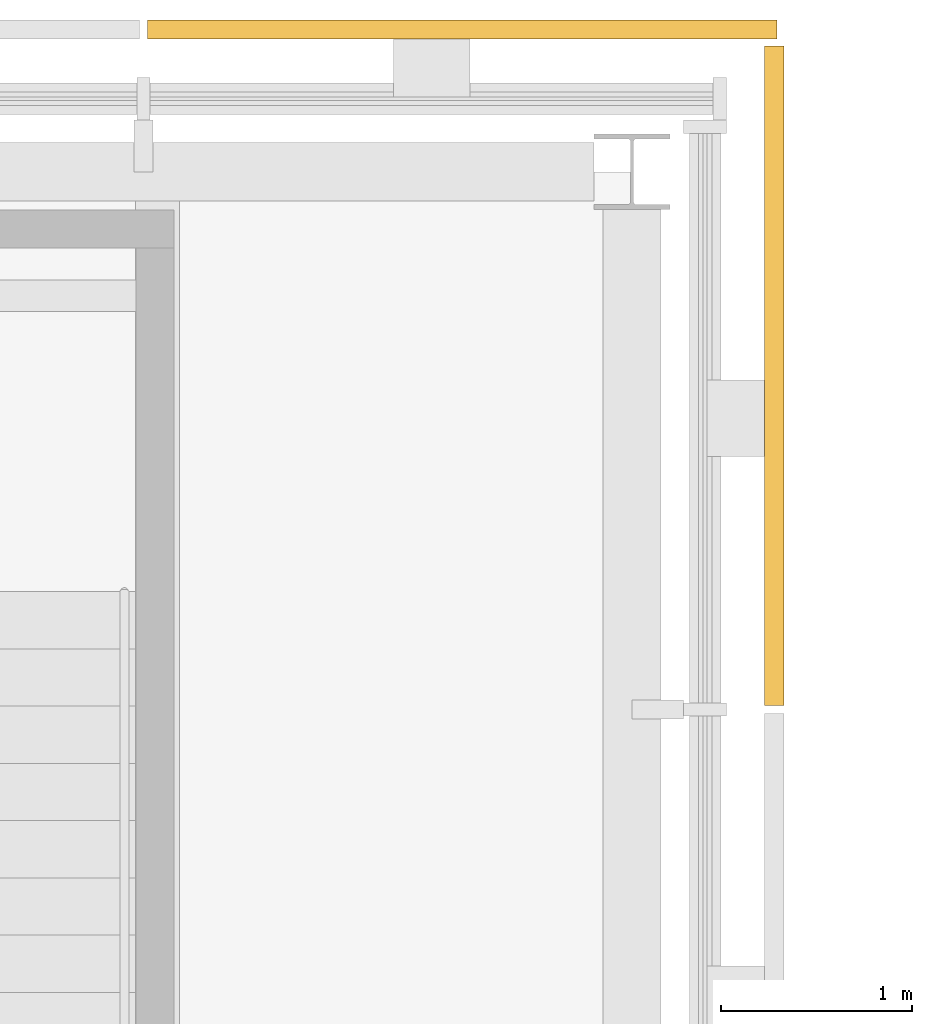
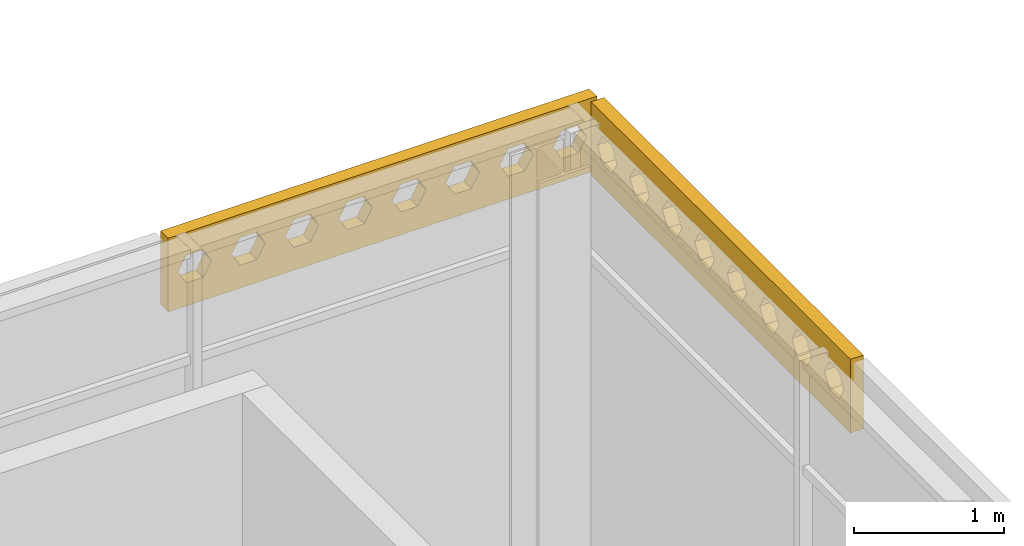
# One storey, part 113 of 123: 2 shading devices.
"""IFC4 building model written with IfcOpenShell, lengths in metres."""

from ifc_helpers import new_model, si_unit, direction, frame, origin, place, context, subcontext, project, spatial, polyline, outline, extrude, material, layer, layer_set, type_object, element, save


model = new_model("IFC4")

# Units and contexts
model_context = context("Model", 3, precision=1e-05, world=origin(), true_north=direction((0.0, 1.0)))
body_context = subcontext(model_context, "Body", "Model", "MODEL_VIEW")
ifc_project = project(units=[si_unit("LENGTHUNIT", "METRE"), si_unit("AREAUNIT", "SQUARE_METRE"), si_unit("VOLUMEUNIT", "CUBIC_METRE"), si_unit("PLANEANGLEUNIT", "RADIAN"), si_unit("MASSUNIT", "GRAM", prefix="KILO")], contexts=[model_context])

# Site, building, storey
site_placement = place(None, origin())
site = spatial("IfcSite", under=ifc_project, at=site_placement, CompositionType="ELEMENT")
building_placement = place(site_placement, origin())
building = spatial("IfcBuilding", under=site, at=building_placement, Name="Baradari Gate Terminus", CompositionType="ELEMENT")
storey_placement = place(building_placement, frame((0.0, 0.0, 7.5)))
storey = spatial("IfcBuildingStorey", under=building, at=storey_placement, Name="L01", CompositionType="ELEMENT", Elevation=7.5)

# Shading devices
ifc_material = material(Name="Concrete C50/60 precast", Category="concrete")
ifc_layer = layer(ifc_material, 0.10009765625)
ifc_layer_set = layer_set([ifc_layer], Name="Concrete C50/60 precast")
shading_device_type = type_object("IfcShadingDeviceType", Name="Jali screen panel JS-1 100", PredefinedType="SHUTTER", material=ifc_layer_set)
shading_device_1_placement = place(storey_placement, frame((60.4599609375, 144.7451171875, 3.4326171875), z_axis=(0.0, 0.0, 1.0), x_axis=(1.0, 0.0, 0.0)))
element("IfcShadingDevice", 1, at=shading_device_1_placement, inside=storey, type_object=shading_device_type, Name="Jali screen panel JS-1 L01/TN bay 18", PredefinedType="SHUTTER", context=body_context, shape_type="SweptSolid", body=[
    extrude(outline(polyline([(0.0, 0.0), (3.300048828125, 0.0), (3.300048828125, 0.599853515625), (0.0, 0.599853515625), (0.0, 0.0)]), holes=[polyline([(0.336181640625, 0.2998046875), (0.271240234375, 0.187255859375), (0.141357421875, 0.187255859375), (0.076171875, 0.2998046875), (0.141357421875, 0.412353515625), (0.271240234375, 0.412353515625), (0.336181640625, 0.2998046875)]), polyline([(0.748779296875, 0.2998046875), (0.683837890625, 0.187255859375), (0.5537109375, 0.187255859375), (0.48876953125, 0.2998046875), (0.5537109375, 0.412353515625), (0.683837890625, 0.412353515625), (0.748779296875, 0.2998046875)]), polyline([(1.1611328125, 0.2998046875), (1.09619140625, 0.187255859375), (0.96630859375, 0.187255859375), (0.9013671875, 0.2998046875), (0.96630859375, 0.412353515625), (1.09619140625, 0.412353515625), (1.1611328125, 0.2998046875)]), polyline([(1.57373046875, 0.2998046875), (1.5087890625, 0.187255859375), (1.378662109375, 0.187255859375), (1.313720703125, 0.2998046875), (1.378662109375, 0.412353515625), (1.5087890625, 0.412353515625), (1.57373046875, 0.2998046875)]), polyline([(1.986328125, 0.2998046875), (1.921142578125, 0.187255859375), (1.791259765625, 0.187255859375), (1.726318359375, 0.2998046875), (1.791259765625, 0.412353515625), (1.921142578125, 0.412353515625), (1.986328125, 0.2998046875)]), polyline([(2.398681640625, 0.2998046875), (2.333740234375, 0.187255859375), (2.203857421875, 0.187255859375), (2.138671875, 0.2998046875), (2.203857421875, 0.412353515625), (2.333740234375, 0.412353515625), (2.398681640625, 0.2998046875)]), polyline([(2.811279296875, 0.2998046875), (2.746337890625, 0.187255859375), (2.6162109375, 0.187255859375), (2.55126953125, 0.2998046875), (2.6162109375, 0.412353515625), (2.746337890625, 0.412353515625), (2.811279296875, 0.2998046875)]), polyline([(3.2236328125, 0.2998046875), (3.15869140625, 0.187255859375), (3.02880859375, 0.187255859375), (2.9638671875, 0.2998046875), (3.02880859375, 0.412353515625), (3.15869140625, 0.412353515625), (3.2236328125, 0.2998046875)])]), frame((0.0, 0.050048828125, 0.0), z_axis=(0.0, -1.0, 0.0), x_axis=(1.0, 0.0, 0.0)), (0.0, 0.0, 1.0), 0.10009765625),
])
shading_device_2_placement = place(storey_placement, frame((63.7451171875, 141.2021484375, 3.4326171875), z_axis=(0.0, 0.0, 1.0), x_axis=(0.0, 1.0, 0.0)))
element("IfcShadingDevice", 2, at=shading_device_2_placement, inside=storey, type_object=shading_device_type, Name="Jali screen panel JS-1 L01/TE bay 9", PredefinedType="SHUTTER", context=body_context, shape_type="SweptSolid", body=[
    extrude(outline(polyline([(0.0, 0.0), (3.457763671875, 0.0), (3.457763671875, 0.599853515625), (0.0, 0.599853515625), (0.0, 0.0)]), holes=[polyline([(0.34619140625, 0.2998046875), (0.281005859375, 0.187255859375), (0.151123046875, 0.187255859375), (0.086181640625, 0.2998046875), (0.151123046875, 0.412353515625), (0.281005859375, 0.412353515625), (0.34619140625, 0.2998046875)]), polyline([(0.7783203125, 0.2998046875), (0.71337890625, 0.187255859375), (0.583251953125, 0.187255859375), (0.518310546875, 0.2998046875), (0.583251953125, 0.412353515625), (0.71337890625, 0.412353515625), (0.7783203125, 0.2998046875)]), polyline([(1.21044921875, 0.2998046875), (1.1455078125, 0.187255859375), (1.015625, 0.187255859375), (0.950439453125, 0.2998046875), (1.015625, 0.412353515625), (1.1455078125, 0.412353515625), (1.21044921875, 0.2998046875)]), polyline([(1.642822265625, 0.2998046875), (1.577880859375, 0.187255859375), (1.44775390625, 0.187255859375), (1.3828125, 0.2998046875), (1.44775390625, 0.412353515625), (1.577880859375, 0.412353515625), (1.642822265625, 0.2998046875)]), polyline([(2.074951171875, 0.2998046875), (2.010009765625, 0.187255859375), (1.8798828125, 0.187255859375), (1.81494140625, 0.2998046875), (1.8798828125, 0.412353515625), (2.010009765625, 0.412353515625), (2.074951171875, 0.2998046875)]), polyline([(2.50732421875, 0.2998046875), (2.442138671875, 0.187255859375), (2.312255859375, 0.187255859375), (2.247314453125, 0.2998046875), (2.312255859375, 0.412353515625), (2.442138671875, 0.412353515625), (2.50732421875, 0.2998046875)]), polyline([(2.939453125, 0.2998046875), (2.87451171875, 0.187255859375), (2.744384765625, 0.187255859375), (2.679443359375, 0.2998046875), (2.744384765625, 0.412353515625), (2.87451171875, 0.412353515625), (2.939453125, 0.2998046875)]), polyline([(3.37158203125, 0.2998046875), (3.306640625, 0.187255859375), (3.1767578125, 0.187255859375), (3.111572265625, 0.2998046875), (3.1767578125, 0.412353515625), (3.306640625, 0.412353515625), (3.37158203125, 0.2998046875)])]), frame((0.0, 0.050048828125, 0.0), z_axis=(0.0, -1.0, 0.0), x_axis=(1.0, 0.0, 0.0)), (0.0, 0.0, 1.0), 0.10009765625),
])

save(model, "model.ifc")
